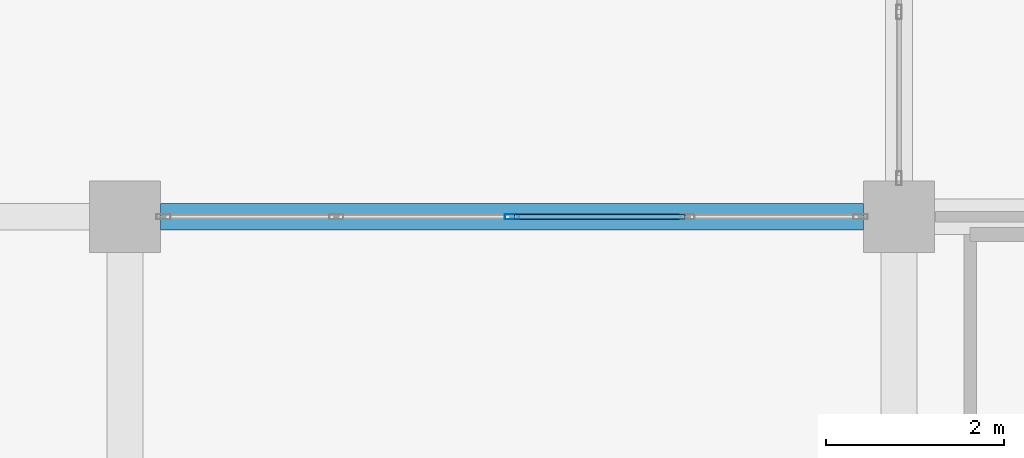
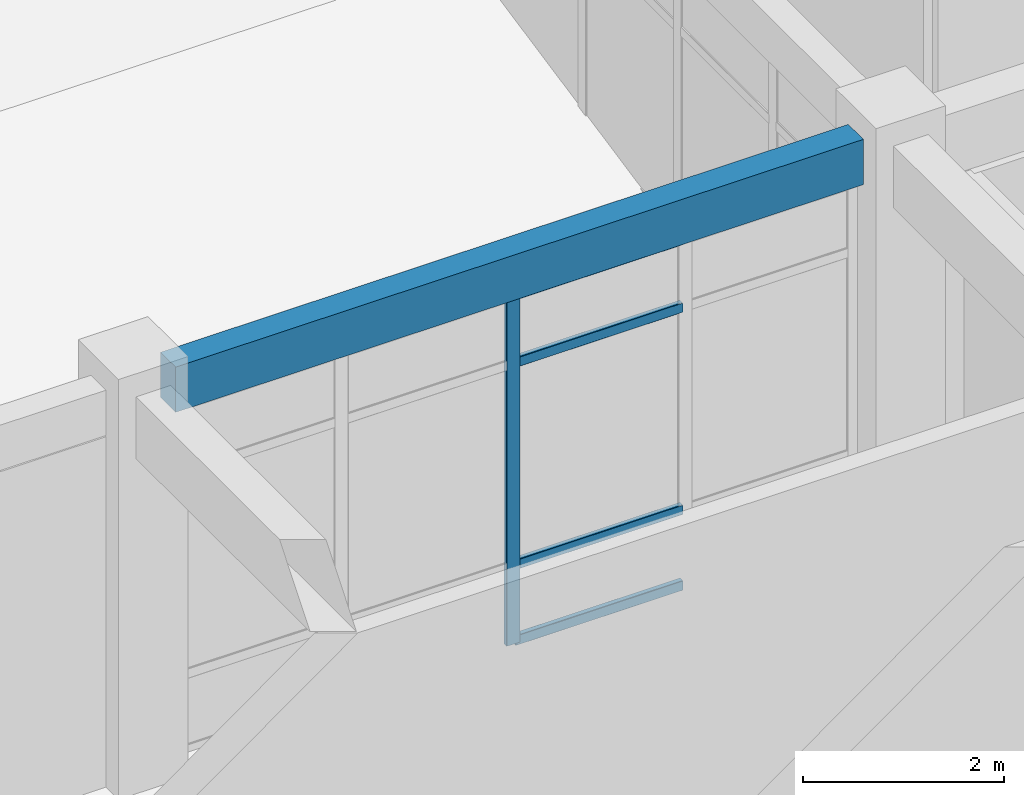
# One storey, part 19 of 124: 5 members, 1 beam, 1 element without a shape of its own.
"""IFC4 building model written with IfcOpenShell, lengths in metres."""

from ifc_helpers import new_model, si_unit, derived_unit, direction, frame, origin, origin_2d, place, context, subcontext, project, spatial, rectangle, hollow_rectangle, extrude, material, layer, layer_set, material_profile, profile_set, type_object, element, aggregate, save


model = new_model("IFC4")

# Units and contexts
model_context = context("Model", 3, precision=1e-05, world=origin(), true_north=direction((0.0, 1.0)))
body_context = subcontext(model_context, "Body", "Model", "MODEL_VIEW")
ifc_project = project(units=[si_unit("LENGTHUNIT", "METRE"), si_unit("AREAUNIT", "SQUARE_METRE"), si_unit("VOLUMEUNIT", "CUBIC_METRE"), si_unit("PLANEANGLEUNIT", "RADIAN"), si_unit("MASSUNIT", "GRAM", prefix="KILO"), derived_unit("THERMALTRANSMITTANCEUNIT", [(si_unit("MASSUNIT", "GRAM", prefix="KILO"), 1), (si_unit("TIMEUNIT", "SECOND"), -3), (si_unit("THERMODYNAMICTEMPERATUREUNIT", "KELVIN"), -1)])], contexts=[model_context])

# Site, building, storey
site_placement = place(None, origin())
site = spatial("IfcSite", under=ifc_project, at=site_placement, CompositionType="ELEMENT")
building_placement = place(site_placement, origin())
building = spatial("IfcBuilding", under=site, at=building_placement, Name="Qinzheling Arcade Emporium", CompositionType="ELEMENT")
storey_placement = place(building_placement, frame((0.0, 0.0, 16.5)))
storey = spatial("IfcBuildingStorey", under=building, at=storey_placement, Name="L04", CompositionType="ELEMENT", Elevation=16.5)

# Curtain wall, members
ifc_material_1 = material(Name="Anodised aluminium and solar-control double glazing", Category="aluminium")
ifc_layer = layer(ifc_material_1, 0.159912109375, Name="Anodised aluminium and solar-control double glazing", Category="aluminium")
ifc_layer_set = layer_set([ifc_layer], Name="Anodised aluminium and solar-control double glazing")
curtain_wall_type = type_object("IfcCurtainWallType", Name="Atrium Clerestory Curtain Wall", PredefinedType="NOTDEFINED", material=ifc_layer_set)
curtain_wall_placement = place(storey_placement, origin())
curtain_wall = element("IfcCurtainWall", 1, at=curtain_wall_placement, inside=storey, type_object=curtain_wall_type, Name="Curtain Wall CW-L04-239", PredefinedType="NOTDEFINED")
ifc_material_2 = material(Name="Anodised aluminium 6063-T6", Category="aluminium")
ifc_material_profile_1 = material_profile(ifc_material_2, hollow_rectangle(XDim=0.06005859375, YDim=0.159912109375, WallThickness=0.00390625, InnerFilletRadius=0.00390625, OuterFilletRadius=0.008056640625, at=origin_2d()), Name="RHS 160x60x4", Category="aluminium")
ifc_profile_set_1 = profile_set([ifc_material_profile_1], Name="Anodised aluminium 6063-T6")
member_type_1 = type_object("IfcMemberType", Name="Curtain Wall Mullion RHS160x60", PredefinedType="MULLION", material=ifc_profile_set_1)
member_1_placement = place(storey_placement, frame((30.449951171875, 42.0, 0.0), z_axis=(0.0, 0.0, 1.0), x_axis=(0.0, 1.0, 0.0)))
member_1 = element("IfcMember", 2, at=member_1_placement, type_object=member_type_1, Name="CW03 mullion 3", PredefinedType="MULLION", context=body_context, shape_type="SweptSolid", body=[
    extrude(hollow_rectangle(XDim=0.06005859375, YDim=0.159912109375, WallThickness=0.00390625, InnerFilletRadius=0.00390625, OuterFilletRadius=0.008056640625, at=origin_2d()), origin(), (0.0, 0.0, 1.0), 4.2548828125),
])
ifc_material_profile_2 = material_profile(ifc_material_2, hollow_rectangle(XDim=0.06005859375, YDim=0.1201171875, WallThickness=0.00390625, InnerFilletRadius=0.00390625, OuterFilletRadius=0.008056640625, at=origin_2d()), Name="RHS 120x60x4", Category="aluminium")
ifc_profile_set_2 = profile_set([ifc_material_profile_2], Name="Anodised aluminium 6063-T6")
member_type_2 = type_object("IfcMemberType", Name="Curtain Wall Transom RHS120x60", PredefinedType="USERDEFINED", material=ifc_profile_set_2)
member_2_placement = place(storey_placement, frame((30.47998046875, 42.0, 0.030029296875), z_axis=(1.0, 0.0, 0.0), x_axis=(0.0, 1.0, 0.0)))
member_2 = element("IfcMember", 3, at=member_2_placement, type_object=member_type_2, Name="CW03 transom 3.1", ObjectType="TRANSOM", PredefinedType="USERDEFINED", context=body_context, shape_type="SweptSolid", body=[
    extrude(hollow_rectangle(XDim=0.06005859375, YDim=0.1201171875, WallThickness=0.00390625, InnerFilletRadius=0.00390625, OuterFilletRadius=0.008056640625, at=origin_2d()), origin(), (0.0, 0.0, 1.0), 1.9140625),
])
member_3_placement = place(storey_placement, frame((30.47998046875, 42.0, 0.949951171875), z_axis=(1.0, 0.0, 0.0), x_axis=(0.0, 1.0, 0.0)))
member_3 = element("IfcMember", 4, at=member_3_placement, type_object=member_type_2, Name="CW03 transom 3.2", ObjectType="TRANSOM", PredefinedType="USERDEFINED", context=body_context, shape_type="SweptSolid", body=[
    extrude(hollow_rectangle(XDim=0.06005859375, YDim=0.1201171875, WallThickness=0.00390625, InnerFilletRadius=0.00390625, OuterFilletRadius=0.008056640625, at=origin_2d()), origin(), (0.0, 0.0, 1.0), 1.9140625),
])
member_4_placement = place(storey_placement, frame((30.47998046875, 42.0, 3.405029296875), z_axis=(1.0, 0.0, 0.0), x_axis=(0.0, 1.0, 0.0)))
member_4 = element("IfcMember", 5, at=member_4_placement, type_object=member_type_2, Name="CW03 transom 3.3", ObjectType="TRANSOM", PredefinedType="USERDEFINED", context=body_context, shape_type="SweptSolid", body=[
    extrude(hollow_rectangle(XDim=0.06005859375, YDim=0.1201171875, WallThickness=0.00390625, InnerFilletRadius=0.00390625, OuterFilletRadius=0.008056640625, at=origin_2d()), origin(), (0.0, 0.0, 1.0), 1.9140625),
])
member_5_placement = place(storey_placement, frame((30.47998046875, 42.0, 4.22509765625), z_axis=(1.0, 0.0, 0.0), x_axis=(0.0, 1.0, 0.0)))
member_5 = element("IfcMember", 6, at=member_5_placement, type_object=member_type_2, Name="CW03 transom 3.4", ObjectType="TRANSOM", PredefinedType="USERDEFINED", context=body_context, shape_type="SweptSolid", body=[
    extrude(hollow_rectangle(XDim=0.06005859375, YDim=0.1201171875, WallThickness=0.00390625, InnerFilletRadius=0.00390625, OuterFilletRadius=0.008056640625, at=origin_2d()), origin(), (0.0, 0.0, 1.0), 1.9140625),
])
aggregate(curtain_wall, [member_1, member_2, member_3, member_4, member_5])

# Beam
ifc_material_3 = material(Name="Concrete C40", Category="concrete")
ifc_material_profile_3 = material_profile(ifc_material_3, rectangle(XDim=0.300048828125, YDim=0.550048828125, at=origin_2d()), Name="RC 300x550", Category="concrete")
ifc_profile_set_3 = profile_set([ifc_material_profile_3], Name="Concrete C40")
beam_type = type_object("IfcBeamType", Name="RC Terrace Spandrel Beam 300x550 C40", PredefinedType="SPANDREL", material=ifc_profile_set_3)
beam_placement = place(storey_placement, frame((26.5, 42.0, 4.544921875), z_axis=(1.0, 0.0, 0.0), x_axis=(0.0, 1.0, 0.0)))
element("IfcBeam", 7, at=beam_placement, inside=storey, type_object=beam_type, Name="Beam BM-L04-X-F-4", PredefinedType="SPANDREL", context=body_context, shape_type="SweptSolid", body=[
    extrude(rectangle(XDim=0.300048828125, YDim=0.550048828125, at=origin_2d()), origin(), (0.0, 0.0, 1.0), 7.89990234375),
])

save(model, "model.ifc")
